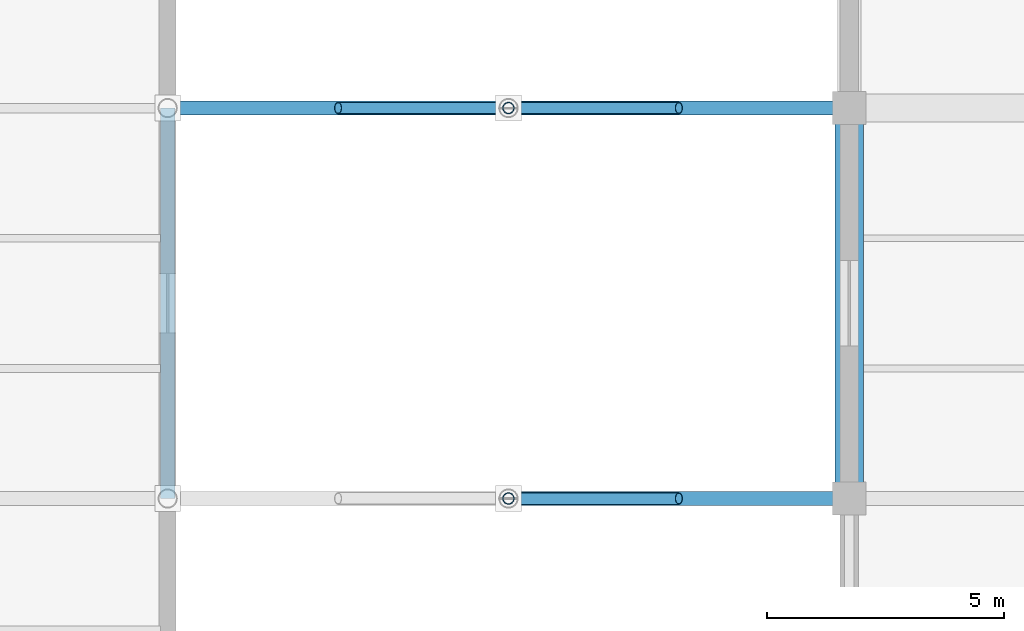
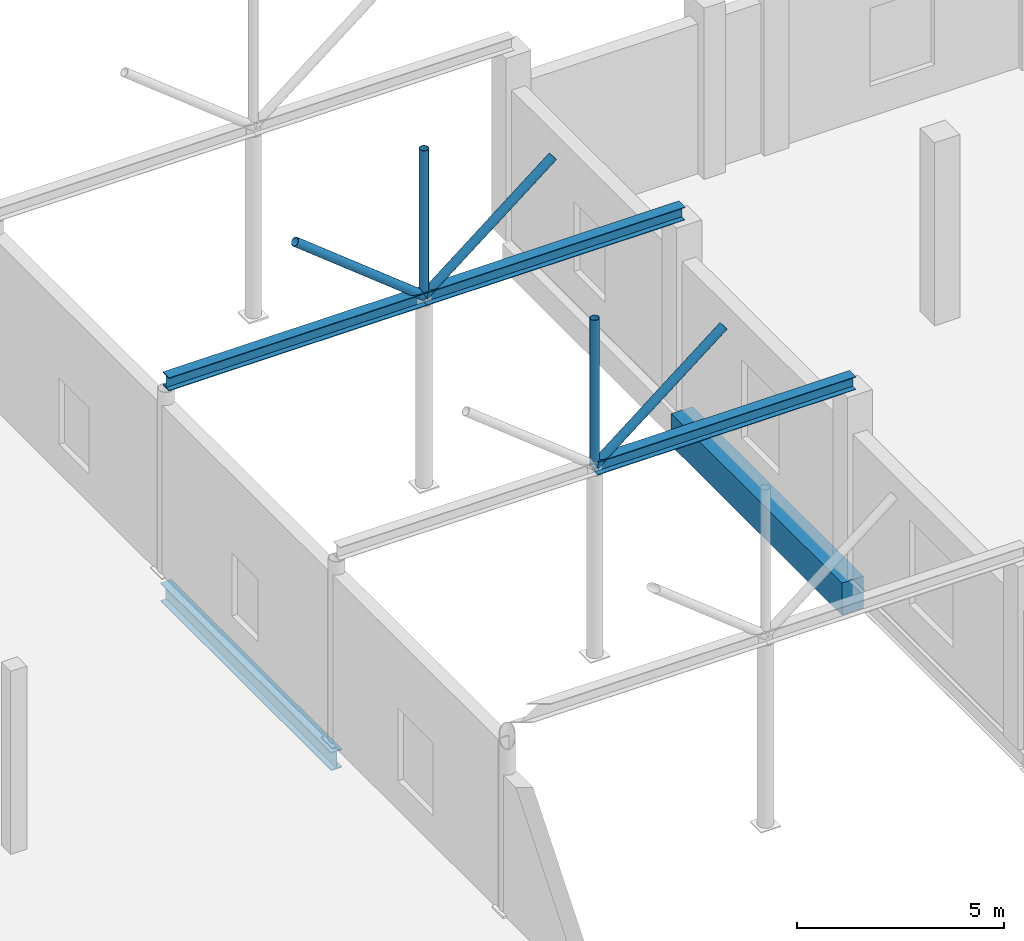
# One storey, part 69 of 147: 5 beams, 5 members.
"""IFC4 building model written with IfcOpenShell, lengths in metres."""

from ifc_helpers import new_model, si_unit, direction, frame, origin, origin_2d, place, context, subcontext, project, spatial, rectangle, hollow_circle, i_section, extrude, material, material_profile, profile_set, type_object, element, save


model = new_model("IFC4")

# Units and contexts
model_context = context("Model", 3, precision=1e-05, world=origin(), true_north=direction((0.0, 1.0)))
body_context = subcontext(model_context, "Body", "Model", "MODEL_VIEW")
ifc_project = project(units=[si_unit("LENGTHUNIT", "METRE"), si_unit("AREAUNIT", "SQUARE_METRE"), si_unit("VOLUMEUNIT", "CUBIC_METRE"), si_unit("PLANEANGLEUNIT", "RADIAN"), si_unit("MASSUNIT", "GRAM", prefix="KILO")], contexts=[model_context])

# Site, building, storey
site_placement = place(None, origin())
site = spatial("IfcSite", under=ifc_project, at=site_placement, CompositionType="ELEMENT")
building_placement = place(site_placement, origin())
building = spatial("IfcBuilding", under=site, at=building_placement, Name="Sundgate Opera House", CompositionType="ELEMENT")
storey_placement = place(building_placement, frame((0.0, 0.0, 6.0)))
storey = spatial("IfcBuildingStorey", under=building, at=storey_placement, Name="L01", CompositionType="ELEMENT", Elevation=6.0)

# Beams
ifc_material_1 = material(Name="Steel S355J2", Category="steel")
ifc_material_profile_1 = material_profile(ifc_material_1, i_section(OverallWidth=0.300048828125, OverallDepth=0.389892578125, WebThickness=0.010986328125, FlangeThickness=0.01904296875, at=origin_2d()), Name="HEA 400")
ifc_profile_set_1 = profile_set([ifc_material_profile_1], Name="Steel S355J2")
beam_type_1 = type_object("IfcBeamType", Name="BM-GR-HEA400", PredefinedType="BEAM", material=ifc_profile_set_1)
for number, where, z_axis, x_axis, name in (
    (1, (88.199951171875, 103.5, 5.5849609375), (1.0, 0.0, 0.0), (0.0, 1.0, 0.0), "L01 Passage Arch Tie Beam B3416"),
    (2, (81.0, 111.75, 5.5849609375), (1.0, 0.0, 0.0), (0.0, 1.0, 0.0), "L01 Passage Arch Tie Beam B3417"),
    (3, (88.199951171875, 111.75, 5.5849609375), (1.0, 0.0, 0.0), (0.0, 1.0, 0.0), "L01 Passage Arch Tie Beam B3418"),
):
    element("IfcBeam", number, at=place(storey_placement, frame(where, z_axis=z_axis, x_axis=x_axis)), inside=storey, type_object=beam_type_1, Name=name, PredefinedType="BEAM", context=body_context, shape_type="SweptSolid", body=[
        extrude(i_section(OverallWidth=0.300048828125, OverallDepth=0.389892578125, WebThickness=0.010986328125, FlangeThickness=0.01904296875, at=origin_2d()), origin(), (0.0, 0.0, 1.0), 7.199951171875),
    ])
ifc_material_2 = material(Name="Steel S355J2", Category="steel")
ifc_material_profile_2 = material_profile(ifc_material_2, i_section(OverallWidth=0.300048828125, OverallDepth=0.550048828125, WebThickness=0.014892578125, FlangeThickness=0.029052734375, at=origin_2d()), Name="HEB 550")
ifc_profile_set_2 = profile_set([ifc_material_profile_2], Name="Steel S355J2")
beam_type_2 = type_object("IfcBeamType", Name="BM-GR-HEB550", PredefinedType="BEAM", material=ifc_profile_set_2)
beam_1_placement = place(storey_placement, frame((81.0, 103.5, -0.574951171875), z_axis=(0.0, 1.0, 0.0), x_axis=(-1.0, 0.0, 0.0)))
element("IfcBeam", 4, at=beam_1_placement, inside=storey, type_object=beam_type_2, Name="L01 Primary N-S Girder B1141", PredefinedType="BEAM", context=body_context, shape_type="SweptSolid", body=[
    extrude(i_section(OverallWidth=0.300048828125, OverallDepth=0.550048828125, WebThickness=0.014892578125, FlangeThickness=0.029052734375, at=origin_2d()), origin(), (0.0, 0.0, 1.0), 8.25),
])
ifc_material_3 = material(Name="Concrete C40/50", Category="concrete")
ifc_material_profile_3 = material_profile(ifc_material_3, rectangle(XDim=0.60009765625, YDim=0.949951171875, at=origin_2d()), Name="RC 600x950")
ifc_profile_set_3 = profile_set([ifc_material_profile_3], Name="Concrete C40/50")
beam_type_3 = type_object("IfcBeamType", Name="BM-RC-600x950", PredefinedType="BEAM", material=ifc_profile_set_3)
beam_2_placement = place(storey_placement, frame((95.39990234375, 103.5, -0.77490234375), z_axis=(0.0, 1.0, 0.0), x_axis=(-1.0, 0.0, 0.0)))
element("IfcBeam", 5, at=beam_2_placement, inside=storey, type_object=beam_type_3, Name="L01 Primary N-S Girder B1155", PredefinedType="BEAM", context=body_context, shape_type="SweptSolid", body=[
    extrude(rectangle(XDim=0.60009765625, YDim=0.949951171875, at=origin_2d()), origin(), (0.0, 0.0, 1.0), 8.25),
])

# Members
ifc_material_4 = material(Name="Steel S355J2", Category="steel")
ifc_material_profile_4 = material_profile(ifc_material_4, hollow_circle(Radius=0.122314453125, WallThickness=0.012451171875, at=origin_2d()), Name="CHS 244.5x12.5")
ifc_profile_set_4 = profile_set([ifc_material_profile_4], Name="Steel S355J2")
member_type = type_object("IfcMemberType", Name="MB-STRUT-CHS244", PredefinedType="STRUT", material=ifc_profile_set_4)
member_1_placement = place(storey_placement, frame((88.199951171875, 103.5, 5.594970703125), z_axis=(0.783526223691, 0.0, 0.621358718285), x_axis=(0.0, 1.0, 0.0)))
element("IfcMember", 6, at=member_1_placement, inside=storey, type_object=member_type, Name="Passage Arch Spandrel Strut M0361", PredefinedType="STRUT", context=body_context, shape_type="SweptSolid", body=[
    extrude(hollow_circle(Radius=0.122314453125, WallThickness=0.012451171875, at=origin_2d()), origin(), (0.0, 0.0, 1.0), 4.5947265625),
])
member_2_placement = place(storey_placement, frame((88.199951171875, 103.5, 5.594970703125), z_axis=(0.0, 0.0, 1.0), x_axis=(1.0, 0.0, 0.0)))
element("IfcMember", 7, at=member_2_placement, inside=storey, type_object=member_type, Name="Passage Arch Crown Post M0362", PredefinedType="STRUT", context=body_context, shape_type="SweptSolid", body=[
    extrude(hollow_circle(Radius=0.122314453125, WallThickness=0.012451171875, at=origin_2d()), origin(), (0.0, 0.0, 1.0), 4.35498046875),
])
member_3_placement = place(storey_placement, frame((88.199951171875, 111.75, 5.594970703125), z_axis=(-0.78350570776, 0.0, 0.621384587762), x_axis=(0.0, -1.0, 0.0)))
element("IfcMember", 8, at=member_3_placement, inside=storey, type_object=member_type, Name="Passage Arch Spandrel Strut M0367", PredefinedType="STRUT", context=body_context, shape_type="SweptSolid", body=[
    extrude(hollow_circle(Radius=0.122314453125, WallThickness=0.012451171875, at=origin_2d()), origin(), (0.0, 0.0, 1.0), 4.594482421875),
])
member_4_placement = place(storey_placement, frame((88.199951171875, 111.75, 5.594970703125), z_axis=(0.783526223691, 0.0, 0.621358718285), x_axis=(0.0, 1.0, 0.0)))
element("IfcMember", 9, at=member_4_placement, inside=storey, type_object=member_type, Name="Passage Arch Spandrel Strut M0368", PredefinedType="STRUT", context=body_context, shape_type="SweptSolid", body=[
    extrude(hollow_circle(Radius=0.122314453125, WallThickness=0.012451171875, at=origin_2d()), origin(), (0.0, 0.0, 1.0), 4.5947265625),
])
member_5_placement = place(storey_placement, frame((88.199951171875, 111.75, 5.594970703125), z_axis=(0.0, 0.0, 1.0), x_axis=(1.0, 0.0, 0.0)))
element("IfcMember", 10, at=member_5_placement, inside=storey, type_object=member_type, Name="Passage Arch Crown Post M0369", PredefinedType="STRUT", context=body_context, shape_type="SweptSolid", body=[
    extrude(hollow_circle(Radius=0.122314453125, WallThickness=0.012451171875, at=origin_2d()), origin(), (0.0, 0.0, 1.0), 4.35498046875),
])

save(model, "model.ifc")
